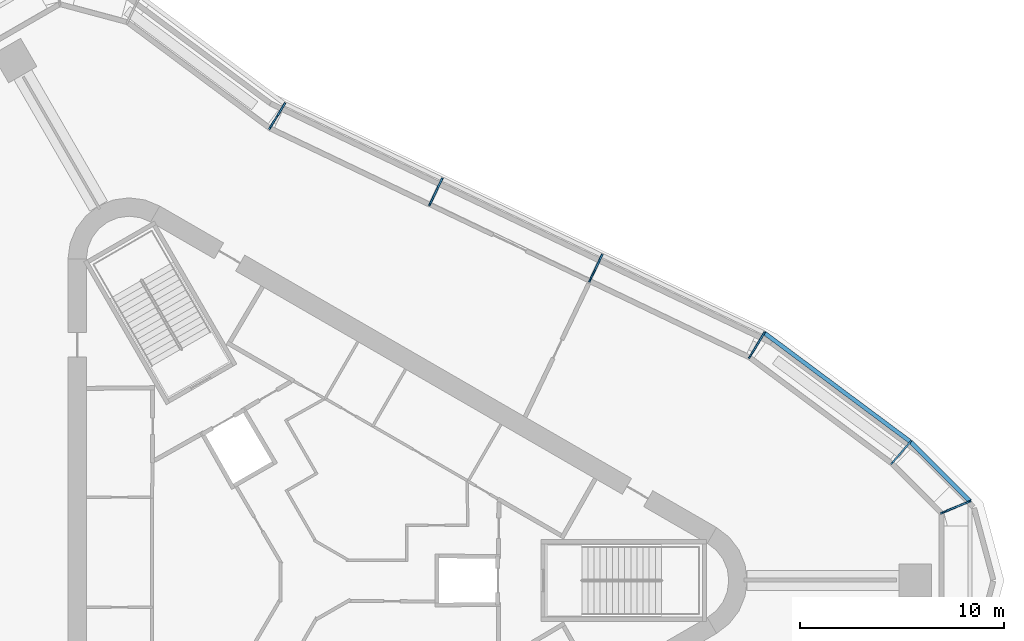
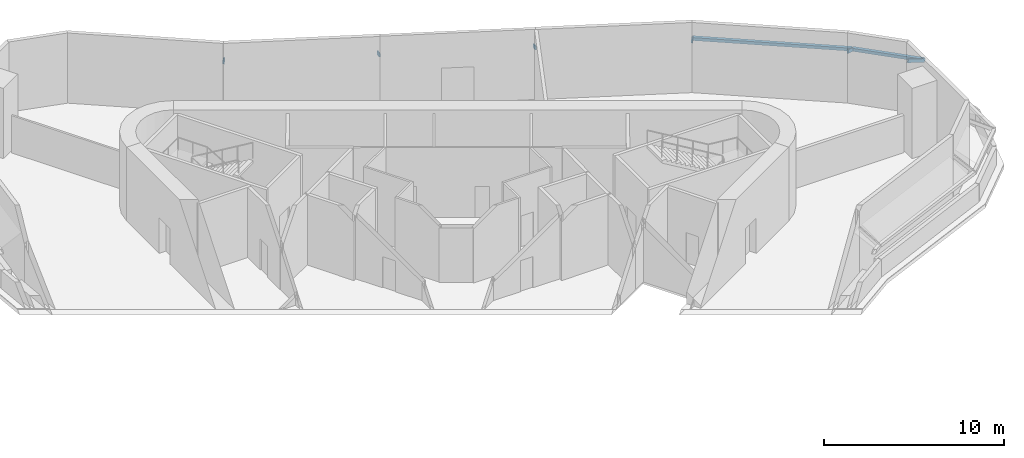
# One storey, part 2 of 8: 8 members, 1 element without a shape of its own.
"""IFC4 building model written with IfcOpenShell, lengths in metres."""

from ifc_helpers import new_model, si_unit, direction, frame, origin, origin_2d, place, context, subcontext, project, spatial, rectangle, extrude, material, material_profile, profile_set, type_object, element, aggregate, save


model = new_model("IFC4")

# Units and contexts
model_context = context("Model", 3, precision=1e-05, world=origin(), true_north=direction((0.0, 1.0)))
body_context = subcontext(model_context, "Body", "Model", "MODEL_VIEW")
ifc_project = project(units=[si_unit("LENGTHUNIT", "METRE"), si_unit("AREAUNIT", "SQUARE_METRE"), si_unit("VOLUMEUNIT", "CUBIC_METRE"), si_unit("PLANEANGLEUNIT", "RADIAN"), si_unit("MASSUNIT", "GRAM", prefix="KILO")], contexts=[model_context])

# Site, building, storey
site_placement = place(None, origin())
site = spatial("IfcSite", under=ifc_project, at=site_placement, CompositionType="ELEMENT")
building_placement = place(site_placement, origin())
building = spatial("IfcBuilding", under=site, at=building_placement, Name="Tanit Gate Tower", CompositionType="ELEMENT")
storey_placement = place(building_placement, frame((0.0, 0.0, 410.300048828125)))
storey = spatial("IfcBuildingStorey", under=building, at=storey_placement, Name="L93", CompositionType="ELEMENT", Elevation=410.300048828125)

# Curtain wall, members
ifc_material_1 = material(Name="Aluminium bronze anodised and glass", Category="aluminium")
curtain_wall_type = type_object("IfcCurtainWallType", Name="Curtain wall crown roof", PredefinedType="NOTDEFINED", material=ifc_material_1)
curtain_wall_placement = place(storey_placement, origin())
curtain_wall = element("IfcCurtainWall", 1, at=curtain_wall_placement, inside=storey, type_object=curtain_wall_type, Name="Glass roof L93", PredefinedType="NOTDEFINED")
ifc_material_2 = material(Name="Aluminium bronze anodised", Category="aluminium")
ifc_material_profile_1 = material_profile(ifc_material_2, rectangle(XDim=0.080078125, YDim=0.219970703125, at=origin_2d()), Name="80x220 bronze rafter")
ifc_profile_set_1 = profile_set([ifc_material_profile_1], Name="Aluminium bronze anodised")
member_type_1 = type_object("IfcMemberType", Name="Mullion 80x220 crown roof", PredefinedType="MULLION", material=ifc_profile_set_1)
member_1_placement = place(storey_placement, frame((28.29150390625, 5.739013671875, 3.408203125), z_axis=(0.566694386259, 0.655617175593, -0.499022636411), x_axis=(-0.756549198503, 0.653936778476, 0.0)))
member_1 = element("IfcMember", 2, at=member_1_placement, type_object=member_type_1, Name="Roof rafter L93 NE1.1", PredefinedType="MULLION", context=body_context, shape_type="SweptSolid", body=[
    extrude(rectangle(XDim=0.080078125, YDim=0.219970703125, at=origin_2d()), origin(), (0.0, 0.0, 1.0), 1.619873046875),
])
member_2_placement = place(storey_placement, frame((21.313720703125, 10.93603515625, 3.408203125), z_axis=(0.447987179673, 0.742331460304, -0.498248421866), x_axis=(-0.856173099661, 0.516689097444, 0.0)))
member_2 = element("IfcMember", 3, at=member_2_placement, type_object=member_type_1, Name="Roof rafter L93 NE1.2", PredefinedType="MULLION", context=body_context, shape_type="SweptSolid", body=[
    extrude(rectangle(XDim=0.080078125, YDim=0.219970703125, at=origin_2d()), origin(), (0.0, 0.0, 1.0), 1.622314453125),
])
member_3_placement = place(storey_placement, frame((13.474365234375, 14.681396484375, 3.408203125), z_axis=(0.373331354962, 0.781398232433, -0.500040500113), x_axis=(-0.902305323306, 0.431097556864, 0.0)))
member_3 = element("IfcMember", 4, at=member_3_placement, type_object=member_type_1, Name="Roof rafter L93 NE2.2", PredefinedType="MULLION", context=body_context, shape_type="SweptSolid", body=[
    extrude(rectangle(XDim=0.080078125, YDim=0.219970703125, at=origin_2d()), origin(), (0.0, 0.0, 1.0), 1.616455078125),
])
member_4_placement = place(storey_placement, frame((5.635009765625, 18.426513671875, 3.408203125), z_axis=(0.373331354962, 0.781398232433, -0.500040500113), x_axis=(-0.902305323306, 0.431097556864, 0.0)))
member_4 = element("IfcMember", 5, at=member_4_placement, type_object=member_type_1, Name="Roof rafter L93 NE2.3", PredefinedType="MULLION", context=body_context, shape_type="SweptSolid", body=[
    extrude(rectangle(XDim=0.080078125, YDim=0.219970703125, at=origin_2d()), origin(), (0.0, 0.0, 1.0), 1.616455078125),
])
member_5_placement = place(storey_placement, frame((-2.204345703125, 22.171630859375, 3.408203125), z_axis=(0.447987179673, 0.742331460304, -0.498248421866), x_axis=(-0.856173099661, 0.516689097444, 0.0)))
member_5 = element("IfcMember", 6, at=member_5_placement, type_object=member_type_1, Name="Roof rafter L93 NE2.4", PredefinedType="MULLION", context=body_context, shape_type="SweptSolid", body=[
    extrude(rectangle(XDim=0.080078125, YDim=0.219970703125, at=origin_2d()), origin(), (0.0, 0.0, 1.0), 1.622314453125),
])
member_6_placement = place(storey_placement, frame((30.7265625, 3.3037109375, 3.408203125), z_axis=(0.815103523011, 0.33775479084, -0.470667555754), x_axis=(-0.382807118554, 0.923828290314, 0.0)))
member_6 = element("IfcMember", 7, at=member_6_placement, type_object=member_type_1, Name="Roof rafter L93 E.arc2.2", PredefinedType="MULLION", context=body_context, shape_type="SweptSolid", body=[
    extrude(rectangle(XDim=0.080078125, YDim=0.219970703125, at=origin_2d()), origin(), (0.0, 0.0, 1.0), 1.717529296875),
])
ifc_material_3 = material(Name="Aluminium bronze anodised", Category="aluminium")
ifc_material_profile_2 = material_profile(ifc_material_3, rectangle(XDim=0.199951171875, YDim=0.199951171875, at=origin_2d()), Name="200x200 bronze transom")
ifc_profile_set_2 = profile_set([ifc_material_profile_2], Name="Aluminium bronze anodised")
member_type_2 = type_object("IfcMemberType", Name="Transom 200x200 crown roof", PredefinedType="USERDEFINED", material=ifc_profile_set_2)
member_7_placement = place(storey_placement, frame((29.20947265625, 6.801025390625, 2.626953125), z_axis=(-0.802001352379, 0.597322216883, 0.0), x_axis=(-0.597322216883, -0.802001352379, 0.0)))
member_7 = element("IfcMember", 8, at=member_7_placement, type_object=member_type_2, Name="Eave beam L93 NE1", ObjectType="TRANSOM", PredefinedType="USERDEFINED", context=body_context, shape_type="SweptSolid", body=[
    extrude(rectangle(XDim=0.199951171875, YDim=0.199951171875, at=origin_2d()), origin(), (0.0, 0.0, 1.0), 8.938720703125),
])
member_8_placement = place(storey_placement, frame((32.12646484375, 3.8837890625, 2.626953125), z_axis=(-0.707077190795, 0.707136370339, 0.0), x_axis=(-0.707136370339, -0.707077190795, 0.0)))
member_8 = element("IfcMember", 9, at=member_8_placement, type_object=member_type_2, Name="Eave beam L93 E.arc3", ObjectType="TRANSOM", PredefinedType="USERDEFINED", context=body_context, shape_type="SweptSolid", body=[
    extrude(rectangle(XDim=0.199951171875, YDim=0.199951171875, at=origin_2d()), origin(), (0.0, 0.0, 1.0), 4.12548828125),
])
aggregate(curtain_wall, [member_1, member_2, member_7, member_3, member_4, member_5, member_6, member_8])

save(model, "model.ifc")
